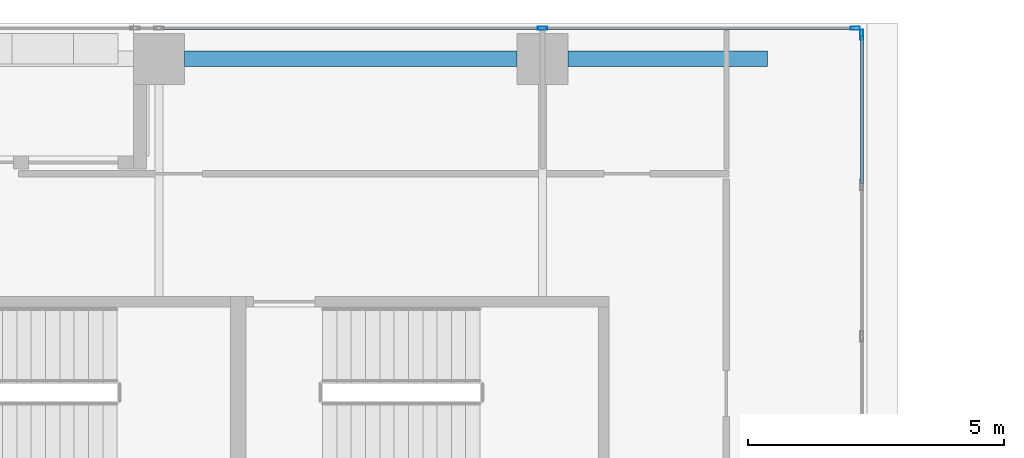
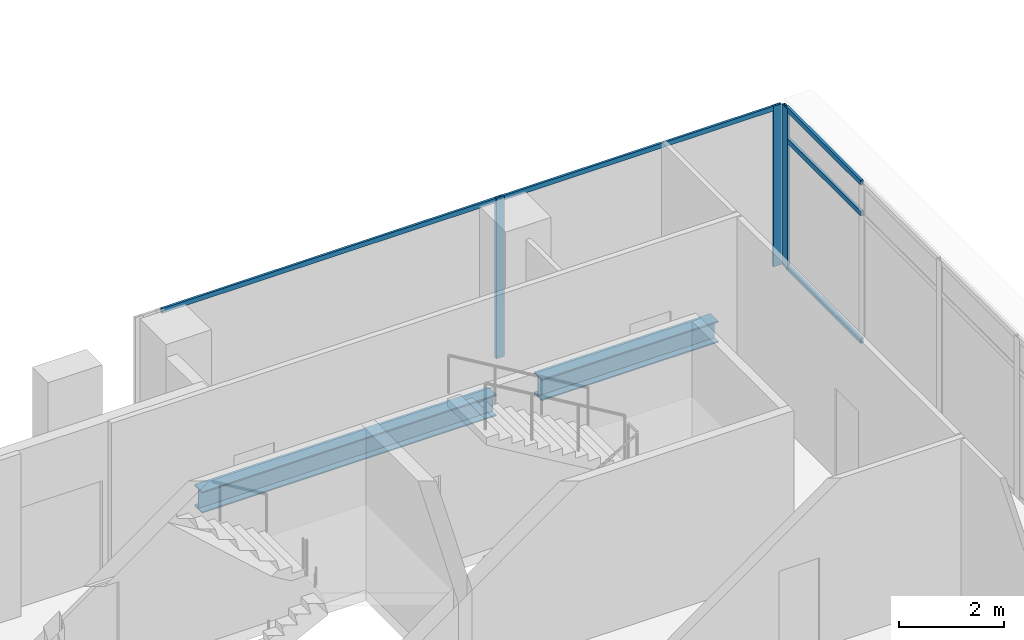
# One storey, part 23 of 40: 8 members, 2 beams, 2 elements without a shape of their own.
"""IFC4 building model written with IfcOpenShell, lengths in metres."""

from ifc_helpers import new_model, si_unit, direction, frame, origin, origin_2d, place, context, subcontext, project, spatial, hollow_rectangle, i_section, extrude, source, transform, mapped, material, material_profile, profile_set, type_object, element, aggregate, save


model = new_model("IFC4")

# Units and contexts
model_context = context("Model", 3, precision=1e-05, world=origin(), true_north=direction((0.0, 1.0)))
body_context = subcontext(model_context, "Body", "Model", "MODEL_VIEW")
ifc_project = project(units=[si_unit("LENGTHUNIT", "METRE"), si_unit("AREAUNIT", "SQUARE_METRE"), si_unit("VOLUMEUNIT", "CUBIC_METRE"), si_unit("PLANEANGLEUNIT", "RADIAN"), si_unit("MASSUNIT", "GRAM", prefix="KILO")], contexts=[model_context])

# Site, building, storey
site_placement = place(None, origin())
site = spatial("IfcSite", under=ifc_project, at=site_placement, CompositionType="ELEMENT")
building_placement = place(site_placement, origin())
building = spatial("IfcBuilding", under=site, at=building_placement, Name="Khomas Fold Tower", CompositionType="ELEMENT")
storey_placement = place(building_placement, frame((0.0, 0.0, 180.699951171875)))
storey = spatial("IfcBuildingStorey", under=building, at=storey_placement, Name="L39", CompositionType="ELEMENT", Elevation=180.699951171875)

# Beams
ifc_material_1 = material(Name="Steel S355", Category="steel")
ifc_material_profile_1 = material_profile(ifc_material_1, i_section(OverallWidth=0.300048828125, OverallDepth=0.5, WebThickness=0.014404296875, FlangeThickness=0.028076171875, at=origin_2d()), Name="HE 500 B")
ifc_profile_set_1 = profile_set([ifc_material_profile_1], Name="Steel S355")
beam_type = type_object("IfcBeamType", Name="HE 500 B spandrel SB3", PredefinedType="SPANDREL", material=ifc_profile_set_1)
shared_shape_1 = source(origin(), body_context, "Body", "SweptSolid", [
    extrude(i_section(OverallWidth=0.300048828125, OverallDepth=0.5, WebThickness=0.014404296875, FlangeThickness=0.028076171875, at=origin_2d()), origin(), (0.0, 0.0, 1.0), 6.5),
])
beam_1_placement = place(storey_placement, frame((20.0, 50.300048828125, -0.5), z_axis=(1.0, 0.0, 0.0), x_axis=(0.0, 1.0, 0.0)))
element("IfcBeam", 1, at=beam_1_placement, inside=storey, type_object=beam_type, Name="SB3", PredefinedType="SPANDREL", context=body_context, shape_type="MappedRepresentation", body=[
    mapped(shared_shape_1, transform((0.0, 0.0, 0.0))),
])
shared_shape_2 = source(origin(), body_context, "Body", "SweptSolid", [
    extrude(i_section(OverallWidth=0.300048828125, OverallDepth=0.5, WebThickness=0.014404296875, FlangeThickness=0.028076171875, at=origin_2d()), origin(), (0.0, 0.0, 1.0), 3.89990234375),
])
beam_2_placement = place(storey_placement, frame((27.5, 50.300048828125, -0.5), z_axis=(1.0, 0.0, 0.0), x_axis=(0.0, 1.0, 0.0)))
element("IfcBeam", 2, at=beam_2_placement, inside=storey, type_object=beam_type, Name="SB3", PredefinedType="SPANDREL", context=body_context, shape_type="MappedRepresentation", body=[
    mapped(shared_shape_2, transform((0.0, 0.0, 0.0))),
])

# Curtain wall, members
ifc_material_2 = material(Name="Aluminium framed double glazing", Category="aluminium")
curtain_wall_type_1 = type_object("IfcCurtainWallType", Name="SK-Unitised clear-glass wall, office floors CW2", PredefinedType="NOTDEFINED", material=ifc_material_2)
curtain_wall_1_placement = place(storey_placement, origin())
curtain_wall_1 = element("IfcCurtainWall", 3, at=curtain_wall_1_placement, inside=storey, type_object=curtain_wall_type_1, Name="CW2 run L39 15-0", PredefinedType="NOTDEFINED")
ifc_material_3 = material(Name="Aluminium", Category="aluminium")
ifc_material_profile_2 = material_profile(ifc_material_3, hollow_rectangle(XDim=0.06005859375, YDim=0.179931640625, WallThickness=0.00390625, at=origin_2d()), Name="SK-Unitised clear-glass wall, office floors mullion CW2-M")
ifc_profile_set_2 = profile_set([ifc_material_profile_2], Name="Aluminium")
member_type_1 = type_object("IfcMemberType", Name="SK-Unitised clear-glass wall, office floors mullion CW2-M", PredefinedType="MULLION", material=ifc_profile_set_2)
shared_shape_3 = source(origin(), body_context, "Body", "SweptSolid", [
    extrude(hollow_rectangle(XDim=0.06005859375, YDim=0.179931640625, WallThickness=0.00390625, at=origin_2d()), origin(), (0.0, 0.0, 1.0), 3.75),
])
member_1_placement = place(storey_placement, frame((33.1201171875, 50.89990234375, 0.0), z_axis=(0.0, 0.0, 1.0), x_axis=(0.0, -1.0, 0.0)))
member_1 = element("IfcMember", 4, at=member_1_placement, type_object=member_type_1, Name="CW2 mullion 1", PredefinedType="MULLION", context=body_context, shape_type="MappedRepresentation", body=[
    mapped(shared_shape_3, transform((0.0, 0.0, 0.0))),
])
member_2_placement = place(storey_placement, frame((27.0, 50.89990234375, 0.0), z_axis=(0.0, 0.0, 1.0), x_axis=(0.0, -1.0, 0.0)))
member_2 = element("IfcMember", 5, at=member_2_placement, type_object=member_type_1, Name="CW2 mullion 2", PredefinedType="MULLION", context=body_context, shape_type="MappedRepresentation", body=[
    mapped(shared_shape_3, transform((0.0, 0.0, 0.0))),
])
ifc_material_4 = material(Name="Aluminium", Category="aluminium")
ifc_material_profile_3 = material_profile(ifc_material_4, hollow_rectangle(XDim=0.050048828125, YDim=0.110107421875, WallThickness=0.00390625, at=origin_2d()), Name="SK-Unitised clear-glass wall, office floors transom CW2-T")
ifc_profile_set_3 = profile_set([ifc_material_profile_3], Name="Aluminium")
member_type_2 = type_object("IfcMemberType", Name="SK-Unitised clear-glass wall, office floors transom CW2-T", PredefinedType="USERDEFINED", material=ifc_profile_set_3)
shared_shape_4 = source(origin(), body_context, "Body", "SweptSolid", [
    extrude(hollow_rectangle(XDim=0.050048828125, YDim=0.110107421875, WallThickness=0.00390625, at=origin_2d()), origin(), (0.0, 0.0, 1.0), 7.43994140625),
])
member_3_placement = place(storey_placement, frame((26.969970703125, 50.89990234375, 3.695068359375), z_axis=(-1.0, 0.0, 0.0), x_axis=(0.0, -1.0, 0.0)))
member_3 = element("IfcMember", 6, at=member_3_placement, type_object=member_type_2, Name="CW2 transom 2", ObjectType="TRANSOM", PredefinedType="USERDEFINED", context=body_context, shape_type="MappedRepresentation", body=[
    mapped(shared_shape_4, transform((0.0, 0.0, 0.0))),
])
shared_shape_5 = source(origin(), body_context, "Body", "SweptSolid", [
    extrude(hollow_rectangle(XDim=0.050048828125, YDim=0.110107421875, WallThickness=0.00390625, at=origin_2d()), origin(), (0.0, 0.0, 1.0), 6.06005859375),
])
member_4_placement = place(storey_placement, frame((33.090087890625, 50.89990234375, 3.695068359375), z_axis=(-1.0, 0.0, 0.0), x_axis=(0.0, -1.0, 0.0)))
member_4 = element("IfcMember", 7, at=member_4_placement, type_object=member_type_2, Name="CW2 transom 1", ObjectType="TRANSOM", PredefinedType="USERDEFINED", context=body_context, shape_type="MappedRepresentation", body=[
    mapped(shared_shape_5, transform((0.0, 0.0, 0.0))),
])
aggregate(curtain_wall_1, [member_1, member_2, member_4, member_3])

ifc_material_5 = material(Name="Aluminium framed double glazing", Category="aluminium")
curtain_wall_type_2 = type_object("IfcCurtainWallType", Name="Notch glazing GN-CW", PredefinedType="NOTDEFINED", material=ifc_material_5)
curtain_wall_2_placement = place(storey_placement, origin())
curtain_wall_2 = element("IfcCurtainWall", 8, at=curtain_wall_2_placement, inside=storey, type_object=curtain_wall_type_2, Name="Notch glazing run", PredefinedType="NOTDEFINED")
ifc_material_6 = material(Name="Aluminium", Category="aluminium")
ifc_material_profile_4 = material_profile(ifc_material_6, hollow_rectangle(XDim=0.06005859375, YDim=0.1201171875, WallThickness=0.00390625, at=origin_2d()), Name="Notch glazing transom GN-CW-T")
ifc_profile_set_4 = profile_set([ifc_material_profile_4], Name="Aluminium")
member_type_3 = type_object("IfcMemberType", Name="Notch glazing transom GN-CW-T", PredefinedType="USERDEFINED", material=ifc_profile_set_4)
shared_shape_6 = source(origin(), body_context, "Body", "SweptSolid", [
    extrude(hollow_rectangle(XDim=0.06005859375, YDim=0.1201171875, WallThickness=0.00390625, at=origin_2d()), origin(), (0.0, 0.0, 1.0), 2.876708984375),
])
member_5_placement = place(storey_placement, frame((33.25, 47.86328125, 0.030029296875), z_axis=(0.0, 1.0, 0.0), x_axis=(-1.0, 0.0, 0.0)))
member_5 = element("IfcMember", 9, at=member_5_placement, type_object=member_type_3, Name="GN-CW transom 6.1", ObjectType="TRANSOM", PredefinedType="USERDEFINED", context=body_context, shape_type="MappedRepresentation", body=[
    mapped(shared_shape_6, transform((0.0, 0.0, 0.0))),
])
member_6_placement = place(storey_placement, frame((33.25, 47.86328125, 3.0), z_axis=(0.0, 1.0, 0.0), x_axis=(-1.0, 0.0, 0.0)))
member_6 = element("IfcMember", 10, at=member_6_placement, type_object=member_type_3, Name="GN-CW transom 6.2", ObjectType="TRANSOM", PredefinedType="USERDEFINED", context=body_context, shape_type="MappedRepresentation", body=[
    mapped(shared_shape_6, transform((0.0, 0.0, 0.0))),
])
member_7_placement = place(storey_placement, frame((33.25, 47.86328125, 3.719970703125), z_axis=(0.0, 1.0, 0.0), x_axis=(-1.0, 0.0, 0.0)))
member_7 = element("IfcMember", 11, at=member_7_placement, type_object=member_type_3, Name="GN-CW transom 6.3", ObjectType="TRANSOM", PredefinedType="USERDEFINED", context=body_context, shape_type="MappedRepresentation", body=[
    mapped(shared_shape_6, transform((0.0, 0.0, 0.0))),
])
ifc_material_7 = material(Name="Aluminium", Category="aluminium")
ifc_material_profile_5 = material_profile(ifc_material_7, hollow_rectangle(XDim=0.06005859375, YDim=0.199951171875, WallThickness=0.00390625, at=origin_2d()), Name="Notch glazing mullion GN-CW-M")
ifc_profile_set_5 = profile_set([ifc_material_profile_5], Name="Aluminium")
member_type_4 = type_object("IfcMemberType", Name="Notch glazing mullion GN-CW-M", PredefinedType="MULLION", material=ifc_profile_set_5)
shared_shape_7 = source(origin(), body_context, "Body", "SweptSolid", [
    extrude(hollow_rectangle(XDim=0.06005859375, YDim=0.199951171875, WallThickness=0.00390625, at=origin_2d()), origin(), (0.0, 0.0, 1.0), 3.75),
])
member_8_placement = place(storey_placement, frame((33.25, 50.77001953125, 0.0), z_axis=(0.0, 0.0, 1.0), x_axis=(-1.0, 0.0, 0.0)))
member_8 = element("IfcMember", 12, at=member_8_placement, type_object=member_type_4, Name="GN-CW mullion 7", PredefinedType="MULLION", context=body_context, shape_type="MappedRepresentation", body=[
    mapped(shared_shape_7, transform((0.0, 0.0, 0.0))),
])
aggregate(curtain_wall_2, [member_8, member_5, member_6, member_7])

save(model, "model.ifc")
